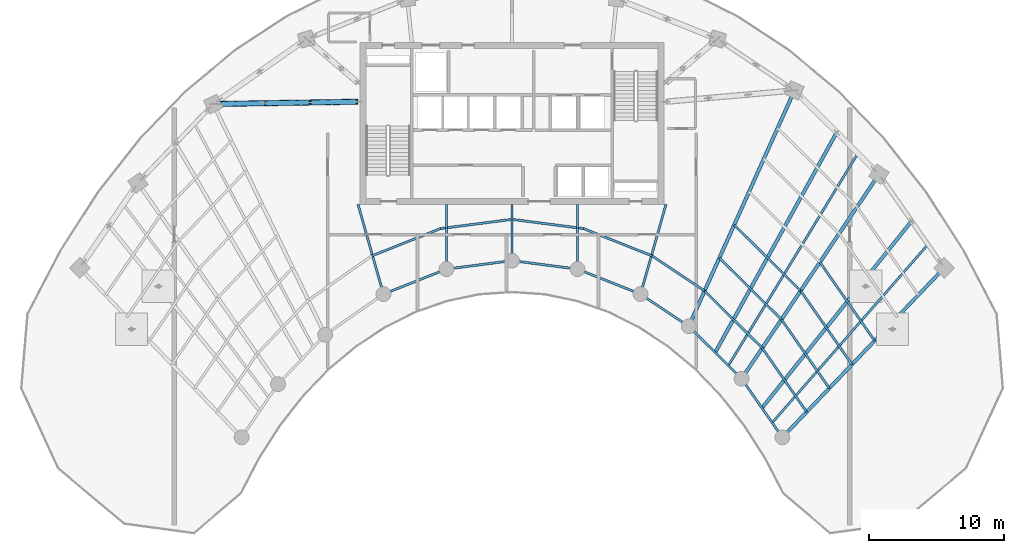
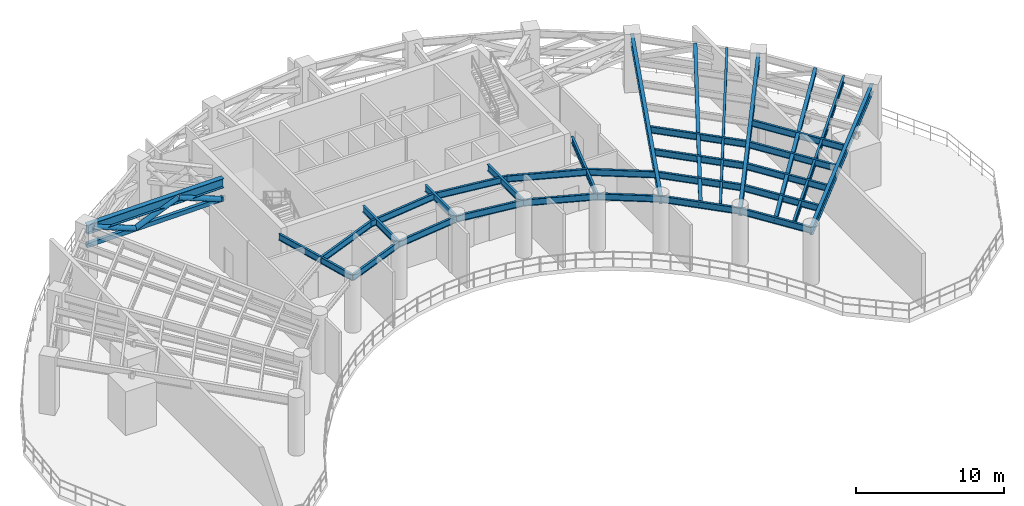
# One storey, part 3 of 24: 32 beams, 4 members.
"""IFC4 building model written with IfcOpenShell, lengths in metres."""

from ifc_helpers import new_model, si_unit, direction, frame, origin, origin_2d, place, context, subcontext, project, spatial, hollow_rectangle, hollow_circle, i_section, extrude, source, transform, mapped, material, material_profile, profile_set, type_object, type_shapes, element, save


model = new_model("IFC4")

# Units and contexts
model_context = context("Model", 3, precision=1e-05, world=origin(), true_north=direction((0.0, 1.0)))
body_context = subcontext(model_context, "Body", "Model", "MODEL_VIEW")
ifc_project = project(units=[si_unit("LENGTHUNIT", "METRE"), si_unit("AREAUNIT", "SQUARE_METRE"), si_unit("VOLUMEUNIT", "CUBIC_METRE"), si_unit("PLANEANGLEUNIT", "RADIAN"), si_unit("MASSUNIT", "GRAM", prefix="KILO")], contexts=[model_context])

# Site, building, storey
site_placement = place(None, origin())
site = spatial("IfcSite", under=ifc_project, at=site_placement, CompositionType="ELEMENT")
building_placement = place(site_placement, origin())
building = spatial("IfcBuilding", under=site, at=building_placement, Name="Breltana Convention Tower", CompositionType="ELEMENT")
storey_placement = place(building_placement, frame((0.0, 0.0, 189.60009765625)))
storey = spatial("IfcBuildingStorey", under=building, at=storey_placement, Name="L46", CompositionType="ELEMENT", Elevation=189.60009765625)

# Member
ifc_material_1 = material(Name="Steel EN 10210 S355J2H", Category="steel")
ifc_material_profile_1 = material_profile(ifc_material_1, hollow_rectangle(XDim=0.25, YDim=0.35009765625, WallThickness=0.011962890625, at=origin_2d()), Name="RHS350X250X12")
ifc_profile_set_1 = profile_set([ifc_material_profile_1], Name="Steel EN 10210 S355J2H")
member_type_1 = type_object("IfcMemberType", Name="MB-CH-RHS350X250X12", PredefinedType="CHORD", material=ifc_profile_set_1)
shared_shape_1 = source(origin(), body_context, "Body", "SweptSolid", [
    extrude(hollow_rectangle(XDim=0.25, YDim=0.35009765625, WallThickness=0.011962890625, at=origin_2d()), origin(), (0.0, 0.0, 1.0), 10.7138671875),
])
type_shapes(member_type_1, [shared_shape_1])
member_placement = place(storey_placement, frame((36.60009765625, 67.800048828125, 2.75), z_axis=(-0.999869477978, -0.016156330277, 0.0), x_axis=(0.016156330277, -0.999869477978, 0.0)))
element("IfcMember", 1, at=member_placement, inside=storey, type_object=member_type_1, Name="L46 Outrigger Truss Bottom Chord R03W", PredefinedType="CHORD", context=body_context, shape_type="MappedRepresentation", body=[
    mapped(shared_shape_1, transform((0.0, 0.0, 0.0), scale=1.0)),
])

# Beam
ifc_material_2 = material(Name="Steel ASTM A992 Grade 50", Category="steel")
ifc_material_profile_2 = material_profile(ifc_material_2, i_section(OverallWidth=0.381103515625, OverallDepth=0.77294921875, WebThickness=0.0166015625, FlangeThickness=0.027099609375, at=origin_2d()), Name="W30X173")
ifc_profile_set_2 = profile_set([ifc_material_profile_2], Name="Steel ASTM A992 Grade 50")
beam_type_1 = type_object("IfcBeamType", Name="BM-OT-W30X173", PredefinedType="USERDEFINED", material=ifc_profile_set_2)
shared_shape_2 = source(origin(), body_context, "Body", "SweptSolid", [
    extrude(i_section(OverallWidth=0.381103515625, OverallDepth=0.77294921875, WebThickness=0.0166015625, FlangeThickness=0.027099609375, at=origin_2d()), origin(), (0.0, 0.0, 1.0), 10.7138671875),
])
type_shapes(beam_type_1, [shared_shape_2])
beam_1_placement = place(storey_placement, frame((36.60009765625, 67.800048828125, 4.093505859375), z_axis=(-0.999869477978, -0.016156330277, 0.0), x_axis=(0.016156330277, -0.999869477978, 0.0)))
element("IfcBeam", 2, at=beam_1_placement, inside=storey, type_object=beam_type_1, Name="L46 Outrigger Top Chord R03W", ObjectType="GIRDER", PredefinedType="USERDEFINED", context=body_context, shape_type="MappedRepresentation", body=[
    mapped(shared_shape_2, transform((0.0, 0.0, 0.0), scale=1.0)),
])

# Members
ifc_material_profile_3 = material_profile(ifc_material_1, hollow_circle(Radius=0.202880859375, WallThickness=0.01611328125, at=origin_2d()), Name="CHS406X16")
ifc_profile_set_3 = profile_set([ifc_material_profile_3], Name="Steel EN 10210 S355J2H")
member_type_2 = type_object("IfcMemberType", Name="MB-BR-CHS406X16", PredefinedType="BRACE", material=ifc_profile_set_3)
shared_shape_3 = source(origin(), body_context, "Body", "SweptSolid", [
    extrude(hollow_circle(Radius=0.202880859375, WallThickness=0.01611328125, at=origin_2d()), origin(), (0.0, 0.0, 1.0), 3.59814453125),
])
type_shapes(member_type_2, [shared_shape_3])
for number, where, z_axis, x_axis, name in (
    (3, (36.39990234375, 67.796875, 2.75), (-0.927551120284, -0.014995522866, 0.373395304676), (0.016164676285, -0.999869343085, 0.0), "L46 Outrigger Truss Diagonal 1 R03W"),
    (4, (33.0625, 67.742919921875, 4.093505859375), (-0.927551120284, -0.014995522866, -0.373395304676), (0.016164676285, -0.999869343085, 0.0), "L46 Outrigger Truss Diagonal 2 R03W"),
    (5, (29.72509765625, 67.68896484375, 2.75), (-0.927551120284, -0.014995522866, 0.373395304676), (0.016164676285, -0.999869343085, 0.0), "L46 Outrigger Truss Diagonal 3 R03W"),
):
    element("IfcMember", number, at=place(storey_placement, frame(where, z_axis=z_axis, x_axis=x_axis)), inside=storey, type_object=member_type_2, Name=name, PredefinedType="BRACE", context=body_context, shape_type="MappedRepresentation", body=[
        mapped(shared_shape_3, transform((0.0, 0.0, 0.0), scale=1.0)),
    ])

# Beams
ifc_material_profile_4 = material_profile(ifc_material_2, i_section(OverallWidth=0.25390625, OverallDepth=0.305908203125, WebThickness=0.0087890625, FlangeThickness=0.0146484375, at=origin_2d()), Name="W12X53")
ifc_profile_set_4 = profile_set([ifc_material_profile_4], Name="Steel ASTM A992 Grade 50")
beam_type_2 = type_object("IfcBeamType", Name="BM-JSG-10", PredefinedType="JOIST", material=ifc_profile_set_4)
shared_shape_4 = source(origin(), body_context, "Body", "SweptSolid", [
    extrude(i_section(OverallWidth=0.25390625, OverallDepth=0.305908203125, WebThickness=0.0087890625, FlangeThickness=0.0146484375, at=origin_2d()), origin(), (0.0, 0.0, 1.0), 18.617431640625),
])
beam_2_placement = place(storey_placement, frame((63.038818359375, 49.234130859375, 4.326904296875), z_axis=(0.483405602507, 0.875396495004, 0.0), x_axis=(-0.875396495004, 0.483405602507, 0.0)))
element("IfcBeam", 6, at=beam_2_placement, inside=storey, type_object=beam_type_2, Name="L46 Mid-Bay Radial Trimmer 09", PredefinedType="JOIST", context=body_context, shape_type="MappedRepresentation", body=[
    mapped(shared_shape_4, transform((0.0, 0.0, 0.0), scale=1.0)),
])
ifc_material_profile_5 = material_profile(ifc_material_2, i_section(OverallWidth=0.166015625, OverallDepth=0.534912109375, WebThickness=0.01025390625, FlangeThickness=0.0166015625, at=origin_2d()), Name="W21X57")
ifc_profile_set_5 = profile_set([ifc_material_profile_5], Name="Steel ASTM A992 Grade 50")
beam_type_3 = type_object("IfcBeamType", Name="BM-JSG-05", PredefinedType="JOIST", material=ifc_profile_set_5)
shared_shape_5 = source(origin(), body_context, "Body", "SweptSolid", [
    extrude(i_section(OverallWidth=0.166015625, OverallDepth=0.534912109375, WebThickness=0.01025390625, FlangeThickness=0.0166015625, at=origin_2d()), origin(), (0.0, 0.0, 1.0), 18.409423828125),
])
beam_3_placement = place(storey_placement, frame((64.017333984375, 48.263916015625, 4.21240234375), z_axis=(0.520682167606, 0.853750596098, 0.0), x_axis=(-0.853750596098, 0.520682167606, 0.0)))
element("IfcBeam", 7, at=beam_3_placement, inside=storey, type_object=beam_type_3, Name="L46 Quarter-Bay Radial Trimmer 09", PredefinedType="JOIST", context=body_context, shape_type="MappedRepresentation", body=[
    mapped(shared_shape_5, transform((0.0, 0.0, 0.0), scale=1.0)),
])
shared_shape_6 = source(origin(), body_context, "Body", "SweptSolid", [
    extrude(i_section(OverallWidth=0.25390625, OverallDepth=0.305908203125, WebThickness=0.0087890625, FlangeThickness=0.0146484375, at=origin_2d()), origin(), (0.0, 0.0, 1.0), 17.7236328125),
])
beam_4_placement = place(storey_placement, frame((66.505615234375, 45.124267578125, 4.326904296875), z_axis=(0.624829427563, 0.78076128647, 0.0), x_axis=(-0.78076128647, 0.624829427563, 0.0)))
element("IfcBeam", 8, at=beam_4_placement, inside=storey, type_object=beam_type_2, Name="L46 Mid-Bay Radial Trimmer 10", PredefinedType="JOIST", context=body_context, shape_type="MappedRepresentation", body=[
    mapped(shared_shape_6, transform((0.0, 0.0, 0.0), scale=1.0)),
])
shared_shape_7 = source(origin(), body_context, "Body", "SweptSolid", [
    extrude(i_section(OverallWidth=0.166015625, OverallDepth=0.534912109375, WebThickness=0.01025390625, FlangeThickness=0.0166015625, at=origin_2d()), origin(), (0.0, 0.0, 1.0), 17.515625),
])
beam_5_placement = place(storey_placement, frame((67.260498046875, 44.03955078125, 4.21240234375), z_axis=(0.658051548324, 0.752972881151, 0.0), x_axis=(-0.752972881151, 0.658051548324, 0.0)))
element("IfcBeam", 9, at=beam_5_placement, inside=storey, type_object=beam_type_3, Name="L46 Quarter-Bay Radial Trimmer 10", PredefinedType="JOIST", context=body_context, shape_type="MappedRepresentation", body=[
    mapped(shared_shape_7, transform((0.0, 0.0, 0.0), scale=1.0)),
])
ifc_material_profile_6 = material_profile(ifc_material_2, i_section(OverallWidth=0.25390625, OverallDepth=0.68798828125, WebThickness=0.01318359375, FlangeThickness=0.02099609375, at=origin_2d()), Name="W27X102")
ifc_profile_set_6 = profile_set([ifc_material_profile_6], Name="Steel ASTM A992 Grade 50")
beam_type_4 = type_object("IfcBeamType", Name="BM-RG-W27X102", PredefinedType="USERDEFINED", material=ifc_profile_set_6)
shared_shape_8 = source(origin(), body_context, "Body", "SweptSolid", [
    extrude(i_section(OverallWidth=0.25390625, OverallDepth=0.68798828125, WebThickness=0.01318359375, FlangeThickness=0.02099609375, at=origin_2d()), origin(), (0.0, 0.0, 1.0), 17.341064453125),
])
type_shapes(beam_type_4, [shared_shape_8])
beam_6_placement = place(storey_placement, frame((68.015380859375, 42.95458984375, 4.135986328125), z_axis=(0.690716462293, 0.723125693581, 0.0), x_axis=(-0.723125693581, 0.690716462293, 0.0)))
element("IfcBeam", 10, at=beam_6_placement, inside=storey, type_object=beam_type_4, Name="L46 Radial Floor Girder R11", ObjectType="GIRDER", PredefinedType="USERDEFINED", context=body_context, shape_type="MappedRepresentation", body=[
    mapped(shared_shape_8, transform((0.0, 0.0, 0.0), scale=1.0)),
])
ifc_material_profile_7 = material_profile(ifc_material_2, i_section(OverallWidth=0.166015625, OverallDepth=0.534912109375, WebThickness=0.01025390625, FlangeThickness=0.0166015625, at=origin_2d()), Name="W21X57")
ifc_profile_set_7 = profile_set([ifc_material_profile_7], Name="Steel ASTM A992 Grade 50")
beam_type_5 = type_object("IfcBeamType", Name="BM-BM-W21X57", PredefinedType="BEAM", material=ifc_profile_set_7)
shared_shape_9 = source(origin(), body_context, "Body", "SweptSolid", [
    extrude(i_section(OverallWidth=0.166015625, OverallDepth=0.534912109375, WebThickness=0.01025390625, FlangeThickness=0.0166015625, at=origin_2d()), origin(), (0.0, 0.0, 1.0), 6.904541015625),
])
type_shapes(beam_type_5, [shared_shape_9])
for number, where, z_axis, x_axis, name in (
    (11, (36.60009765625, 60.199951171875, 4.21240234375), (0.273006781054, -0.962012108811, 0.0), (0.962012108811, 0.273006781054, 0.0), "L46 South Core Tie Girder R04"),
    (12, (59.39990234375, 60.199951171875, 4.21240234375), (-0.273006781054, -0.962012108811, 0.0), (0.962012108811, -0.273006781054, 0.0), "L46 South Core Tie Girder R08"),
):
    element("IfcBeam", number, at=place(storey_placement, frame(where, z_axis=z_axis, x_axis=x_axis)), inside=storey, type_object=beam_type_5, Name=name, PredefinedType="BEAM", context=body_context, shape_type="MappedRepresentation", body=[
        mapped(shared_shape_9, transform((0.0, 0.0, 0.0), scale=1.0)),
    ])
shared_shape_10 = source(origin(), body_context, "Body", "SweptSolid", [
    extrude(i_section(OverallWidth=0.166015625, OverallDepth=0.534912109375, WebThickness=0.01025390625, FlangeThickness=0.0166015625, at=origin_2d()), origin(), (0.0, 0.0, 1.0), 4.789306640625),
])
for number, where, z_axis, x_axis, name in (
    (13, (43.153564453125, 60.199951171875, 4.21240234375), (0.0, -1.0, 0.0), (1.0, 0.0, 0.0), "L46 South Core Tie Girder R05"),
    (14, (52.846435546875, 60.199951171875, 4.21240234375), (0.0, -1.0, 0.0), (1.0, 0.0, 0.0), "L46 South Core Tie Girder R07"),
):
    element("IfcBeam", number, at=place(storey_placement, frame(where, z_axis=z_axis, x_axis=x_axis)), inside=storey, type_object=beam_type_5, Name=name, PredefinedType="BEAM", context=body_context, shape_type="MappedRepresentation", body=[
        mapped(shared_shape_10, transform((0.0, 0.0, 0.0), scale=1.0)),
    ])
shared_shape_11 = source(origin(), body_context, "Body", "SweptSolid", [
    extrude(i_section(OverallWidth=0.166015625, OverallDepth=0.534912109375, WebThickness=0.01025390625, FlangeThickness=0.0166015625, at=origin_2d()), origin(), (0.0, 0.0, 1.0), 4.1640625),
])
beam_7_placement = place(storey_placement, frame((48.0, 60.199951171875, 4.21240234375), z_axis=(0.0, -1.0, 0.0), x_axis=(1.0, 0.0, 0.0)))
element("IfcBeam", 15, at=beam_7_placement, inside=storey, type_object=beam_type_5, Name="L46 South Core Tie Girder R06", PredefinedType="BEAM", context=body_context, shape_type="MappedRepresentation", body=[
    mapped(shared_shape_11, transform((0.0, 0.0, 0.0), scale=1.0)),
])
shared_shape_12 = source(origin(), body_context, "Body", "SweptSolid", [
    extrude(i_section(OverallWidth=0.25390625, OverallDepth=0.68798828125, WebThickness=0.01318359375, FlangeThickness=0.02099609375, at=origin_2d()), origin(), (0.0, 0.0, 1.0), 19.133544921875),
])
beam_8_placement = place(storey_placement, frame((61.08203125, 51.174560546875, 4.135986328125), z_axis=(0.409144564164, 0.912469575172, 0.0), x_axis=(-0.912469575172, 0.409144564164, 0.0)))
element("IfcBeam", 16, at=beam_8_placement, inside=storey, type_object=beam_type_4, Name="L46 Radial Floor Girder R09", ObjectType="GIRDER", PredefinedType="USERDEFINED", context=body_context, shape_type="MappedRepresentation", body=[
    mapped(shared_shape_12, transform((0.0, 0.0, 0.0), scale=1.0)),
])
shared_shape_13 = source(origin(), body_context, "Body", "SweptSolid", [
    extrude(i_section(OverallWidth=0.25390625, OverallDepth=0.68798828125, WebThickness=0.01318359375, FlangeThickness=0.02099609375, at=origin_2d()), origin(), (0.0, 0.0, 1.0), 18.236328125),
])
beam_9_placement = place(storey_placement, frame((64.995849609375, 47.293701171875, 4.135986328125), z_axis=(0.557730360975, 0.830022195153, 0.0), x_axis=(-0.830022195153, 0.557730360975, 0.0)))
element("IfcBeam", 17, at=beam_9_placement, inside=storey, type_object=beam_type_4, Name="L46 Radial Floor Girder R10", ObjectType="GIRDER", PredefinedType="USERDEFINED", context=body_context, shape_type="MappedRepresentation", body=[
    mapped(shared_shape_13, transform((0.0, 0.0, 0.0), scale=1.0)),
])
shared_shape_14 = source(origin(), body_context, "Body", "SweptSolid", [
    extrude(i_section(OverallWidth=0.166015625, OverallDepth=0.534912109375, WebThickness=0.01025390625, FlangeThickness=0.0166015625, at=origin_2d()), origin(), (0.0, 0.0, 1.0), 5.022705078125),
])
for number, where, z_axis, x_axis, name in (
    (18, (38.485107421875, 53.5576171875, 4.21240234375), (0.929458966248, 0.368925507469, 0.0), (-0.368925507469, 0.929458966248, 0.0), "L46 Inner Ring Beam 04"),
    (19, (52.846435546875, 55.41064453125, 4.21240234375), (0.929458966248, -0.368925507469, 0.0), (0.368925507469, 0.929458966248, 0.0), "L46 Inner Ring Beam 07"),
):
    element("IfcBeam", number, at=place(storey_placement, frame(where, z_axis=z_axis, x_axis=x_axis)), inside=storey, type_object=beam_type_5, Name=name, PredefinedType="BEAM", context=body_context, shape_type="MappedRepresentation", body=[
        mapped(shared_shape_14, transform((0.0, 0.0, 0.0), scale=1.0)),
    ])
shared_shape_15 = source(origin(), body_context, "Body", "SweptSolid", [
    extrude(i_section(OverallWidth=0.166015625, OverallDepth=0.534912109375, WebThickness=0.01025390625, FlangeThickness=0.0166015625, at=origin_2d()), origin(), (0.0, 0.0, 1.0), 4.88671875),
])
for number, where, z_axis, x_axis, name in (
    (20, (43.153564453125, 55.41064453125, 4.21240234375), (0.991780525565, 0.127950729231, 0.0), (-0.127950729231, 0.991780525565, 0.0), "L46 Inner Ring Beam 05"),
    (21, (48.0, 56.035888671875, 4.21240234375), (0.991780525565, -0.127950729231, 0.0), (0.127950729231, 0.991780525565, 0.0), "L46 Inner Ring Beam 06"),
):
    element("IfcBeam", number, at=place(storey_placement, frame(where, z_axis=z_axis, x_axis=x_axis)), inside=storey, type_object=beam_type_5, Name=name, PredefinedType="BEAM", context=body_context, shape_type="MappedRepresentation", body=[
        mapped(shared_shape_15, transform((0.0, 0.0, 0.0), scale=1.0)),
    ])
shared_shape_16 = source(origin(), body_context, "Body", "SweptSolid", [
    extrude(i_section(OverallWidth=0.166015625, OverallDepth=0.534912109375, WebThickness=0.01025390625, FlangeThickness=0.0166015625, at=origin_2d()), origin(), (0.0, 0.0, 1.0), 4.2900390625),
])
beam_10_placement = place(storey_placement, frame((57.514892578125, 53.5576171875, 4.21240234375), z_axis=(0.831515827753, -0.555501060482, 0.0), x_axis=(0.555501060482, 0.831515827753, 0.0)))
element("IfcBeam", 22, at=beam_10_placement, inside=storey, type_object=beam_type_5, Name="L46 Inner Ring Beam 08", PredefinedType="BEAM", context=body_context, shape_type="MappedRepresentation", body=[
    mapped(shared_shape_16, transform((0.0, 0.0, 0.0), scale=1.0)),
])
shared_shape_17 = source(origin(), body_context, "Body", "SweptSolid", [
    extrude(i_section(OverallWidth=0.166015625, OverallDepth=0.534912109375, WebThickness=0.01025390625, FlangeThickness=0.0166015625, at=origin_2d()), origin(), (0.0, 0.0, 1.0), 5.51171875),
])
beam_11_placement = place(storey_placement, frame((61.08203125, 51.174560546875, 4.21240234375), z_axis=(0.710090360749, -0.704110559196, 0.0), x_axis=(0.704110559196, 0.710090360749, 0.0)))
element("IfcBeam", 23, at=beam_11_placement, inside=storey, type_object=beam_type_5, Name="L46 Inner Ring Beam 09", PredefinedType="BEAM", context=body_context, shape_type="MappedRepresentation", body=[
    mapped(shared_shape_17, transform((0.0, 0.0, 0.0), scale=1.0)),
])
shared_shape_18 = source(origin(), body_context, "Body", "SweptSolid", [
    extrude(i_section(OverallWidth=0.166015625, OverallDepth=0.534912109375, WebThickness=0.01025390625, FlangeThickness=0.0166015625, at=origin_2d()), origin(), (0.0, 0.0, 1.0), 5.286376953125),
])
beam_12_placement = place(storey_placement, frame((64.995849609375, 47.293701171875, 4.21240234375), z_axis=(0.571194382458, -0.82081482531, 0.0), x_axis=(0.82081482531, 0.571194382458, 0.0)))
element("IfcBeam", 24, at=beam_12_placement, inside=storey, type_object=beam_type_5, Name="L46 Inner Ring Beam 10", PredefinedType="BEAM", context=body_context, shape_type="MappedRepresentation", body=[
    mapped(shared_shape_18, transform((0.0, 0.0, 0.0), scale=1.0)),
])
shared_shape_19 = source(origin(), body_context, "Body", "SweptSolid", [
    extrude(i_section(OverallWidth=0.166015625, OverallDepth=0.534912109375, WebThickness=0.01025390625, FlangeThickness=0.0166015625, at=origin_2d()), origin(), (0.0, 0.0, 1.0), 5.473876953125),
])
for number, where, z_axis, x_axis, name in (
    (25, (37.630859375, 56.390380859375, 4.21240234375), (0.92945162863, 0.368943993091, 0.0), (-0.368943993091, 0.92945162863, 0.0), "L46 Composite Floor Joist 04.1"),
    (26, (53.281494140625, 58.409912109375, 4.21240234375), (0.92945162863, -0.368943993091, 0.0), (0.368943993091, 0.92945162863, 0.0), "L46 Composite Floor Joist 07.1"),
):
    element("IfcBeam", number, at=place(storey_placement, frame(where, z_axis=z_axis, x_axis=x_axis)), inside=storey, type_object=beam_type_3, Name=name, PredefinedType="JOIST", context=body_context, shape_type="MappedRepresentation", body=[
        mapped(shared_shape_19, transform((0.0, 0.0, 0.0), scale=1.0)),
    ])
shared_shape_20 = source(origin(), body_context, "Body", "SweptSolid", [
    extrude(i_section(OverallWidth=0.166015625, OverallDepth=0.534912109375, WebThickness=0.01025390625, FlangeThickness=0.0166015625, at=origin_2d()), origin(), (0.0, 0.0, 1.0), 5.3251953125),
])
for number, where, z_axis, x_axis, name in (
    (27, (42.718505859375, 58.409912109375, 4.21240234375), (0.991779931204, 0.127955336199, 0.0), (-0.127955336199, 0.991779931204, 0.0), "L46 Composite Floor Joist 05.1"),
    (28, (48.0, 59.09130859375, 4.21240234375), (0.991779931204, -0.127955336199, 0.0), (0.127955336199, 0.991779931204, 0.0), "L46 Composite Floor Joist 06.1"),
):
    element("IfcBeam", number, at=place(storey_placement, frame(where, z_axis=z_axis, x_axis=x_axis)), inside=storey, type_object=beam_type_3, Name=name, PredefinedType="JOIST", context=body_context, shape_type="MappedRepresentation", body=[
        mapped(shared_shape_20, transform((0.0, 0.0, 0.0), scale=1.0)),
    ])
shared_shape_21 = source(origin(), body_context, "Body", "SweptSolid", [
    extrude(i_section(OverallWidth=0.166015625, OverallDepth=0.534912109375, WebThickness=0.01025390625, FlangeThickness=0.0166015625, at=origin_2d()), origin(), (0.0, 0.0, 1.0), 4.675048828125),
])
beam_13_placement = place(storey_placement, frame((58.369140625, 56.390380859375, 4.21240234375), z_axis=(0.831487469976, -0.555543506193, 0.0), x_axis=(0.555543506193, 0.831487469976, 0.0)))
element("IfcBeam", 29, at=beam_13_placement, inside=storey, type_object=beam_type_3, Name="L46 Composite Floor Joist 08.1", PredefinedType="JOIST", context=body_context, shape_type="MappedRepresentation", body=[
    mapped(shared_shape_21, transform((0.0, 0.0, 0.0), scale=1.0)),
])
shared_shape_22 = source(origin(), body_context, "Body", "SweptSolid", [
    extrude(i_section(OverallWidth=0.166015625, OverallDepth=0.534912109375, WebThickness=0.01025390625, FlangeThickness=0.0166015625, at=origin_2d()), origin(), (0.0, 0.0, 1.0), 6.00634765625),
])
beam_14_placement = place(storey_placement, frame((62.25634765625, 53.793212890625, 4.21240234375), z_axis=(0.710108283635, -0.704092483636, 0.0), x_axis=(0.704092483636, 0.710108283635, 0.0)))
element("IfcBeam", 30, at=beam_14_placement, inside=storey, type_object=beam_type_3, Name="L46 Composite Floor Joist 09.1", PredefinedType="JOIST", context=body_context, shape_type="MappedRepresentation", body=[
    mapped(shared_shape_22, transform((0.0, 0.0, 0.0), scale=1.0)),
])
shared_shape_23 = source(origin(), body_context, "Body", "SweptSolid", [
    extrude(i_section(OverallWidth=0.166015625, OverallDepth=0.534912109375, WebThickness=0.01025390625, FlangeThickness=0.0166015625, at=origin_2d()), origin(), (0.0, 0.0, 1.0), 6.468017578125),
])
beam_15_placement = place(storey_placement, frame((63.352294921875, 56.237548828125, 4.21240234375), z_axis=(0.710101160442, -0.704099667617, 0.0), x_axis=(0.704099667617, 0.710101160442, 0.0)))
element("IfcBeam", 31, at=beam_15_placement, inside=storey, type_object=beam_type_3, Name="L46 Composite Floor Joist 09.2", PredefinedType="JOIST", context=body_context, shape_type="MappedRepresentation", body=[
    mapped(shared_shape_23, transform((0.0, 0.0, 0.0), scale=1.0)),
])
shared_shape_24 = source(origin(), body_context, "Body", "SweptSolid", [
    extrude(i_section(OverallWidth=0.166015625, OverallDepth=0.534912109375, WebThickness=0.01025390625, FlangeThickness=0.0166015625, at=origin_2d()), origin(), (0.0, 0.0, 1.0), 6.93017578125),
])
beam_16_placement = place(storey_placement, frame((64.4482421875, 58.681884765625, 4.21240234375), z_axis=(0.710112451674, -0.70408827996, 0.0), x_axis=(0.70408827996, 0.710112451674, 0.0)))
element("IfcBeam", 32, at=beam_16_placement, inside=storey, type_object=beam_type_3, Name="L46 Composite Floor Joist 09.3", PredefinedType="JOIST", context=body_context, shape_type="MappedRepresentation", body=[
    mapped(shared_shape_24, transform((0.0, 0.0, 0.0), scale=1.0)),
])
shared_shape_25 = source(origin(), body_context, "Body", "SweptSolid", [
    extrude(i_section(OverallWidth=0.166015625, OverallDepth=0.534912109375, WebThickness=0.01025390625, FlangeThickness=0.0166015625, at=origin_2d()), origin(), (0.0, 0.0, 1.0), 5.760986328125),
])
beam_17_placement = place(storey_placement, frame((66.521484375, 49.564208984375, 4.21240234375), z_axis=(0.571224653223, -0.820793759449, 0.0), x_axis=(0.820793759449, 0.571224653223, 0.0)))
element("IfcBeam", 33, at=beam_17_placement, inside=storey, type_object=beam_type_3, Name="L46 Composite Floor Joist 10.1", PredefinedType="JOIST", context=body_context, shape_type="MappedRepresentation", body=[
    mapped(shared_shape_25, transform((0.0, 0.0, 0.0), scale=1.0)),
])
shared_shape_26 = source(origin(), body_context, "Body", "SweptSolid", [
    extrude(i_section(OverallWidth=0.166015625, OverallDepth=0.534912109375, WebThickness=0.01025390625, FlangeThickness=0.0166015625, at=origin_2d()), origin(), (0.0, 0.0, 1.0), 6.203857421875),
])
beam_18_placement = place(storey_placement, frame((67.9453125, 51.683349609375, 4.21240234375), z_axis=(0.571217832032, -0.820798506558, 0.0), x_axis=(0.820798506558, 0.571217832032, 0.0)))
element("IfcBeam", 34, at=beam_18_placement, inside=storey, type_object=beam_type_3, Name="L46 Composite Floor Joist 10.2", PredefinedType="JOIST", context=body_context, shape_type="MappedRepresentation", body=[
    mapped(shared_shape_26, transform((0.0, 0.0, 0.0), scale=1.0)),
])
shared_shape_27 = source(origin(), body_context, "Body", "SweptSolid", [
    extrude(i_section(OverallWidth=0.166015625, OverallDepth=0.534912109375, WebThickness=0.01025390625, FlangeThickness=0.0166015625, at=origin_2d()), origin(), (0.0, 0.0, 1.0), 6.646728515625),
])
beam_19_placement = place(storey_placement, frame((69.369384765625, 53.802490234375, 4.21240234375), z_axis=(0.571194698527, -0.820814605362, 0.0), x_axis=(0.820814605362, 0.571194698527, 0.0)))
element("IfcBeam", 35, at=beam_19_placement, inside=storey, type_object=beam_type_3, Name="L46 Composite Floor Joist 10.3", PredefinedType="JOIST", context=body_context, shape_type="MappedRepresentation", body=[
    mapped(shared_shape_27, transform((0.0, 0.0, 0.0), scale=1.0)),
])
shared_shape_28 = source(origin(), body_context, "Body", "SweptSolid", [
    extrude(i_section(OverallWidth=0.166015625, OverallDepth=0.534912109375, WebThickness=0.01025390625, FlangeThickness=0.0166015625, at=origin_2d()), origin(), (0.0, 0.0, 1.0), 7.089599609375),
])
beam_20_placement = place(storey_placement, frame((70.793212890625, 55.92138671875, 4.21240234375), z_axis=(0.571206746165, -0.820806221429, 0.0), x_axis=(0.820806221429, 0.571206746165, 0.0)))
element("IfcBeam", 36, at=beam_20_placement, inside=storey, type_object=beam_type_3, Name="L46 Composite Floor Joist 10.4", PredefinedType="JOIST", context=body_context, shape_type="MappedRepresentation", body=[
    mapped(shared_shape_28, transform((0.0, 0.0, 0.0), scale=1.0)),
])

save(model, "model.ifc")
